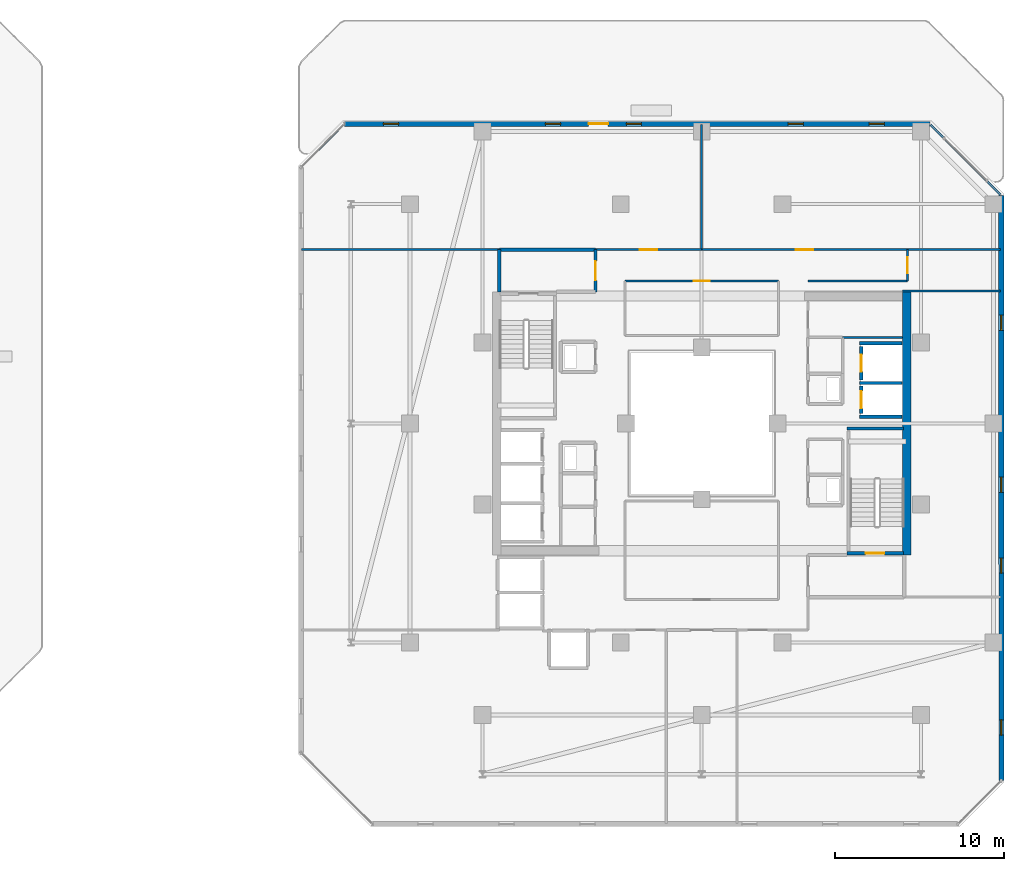
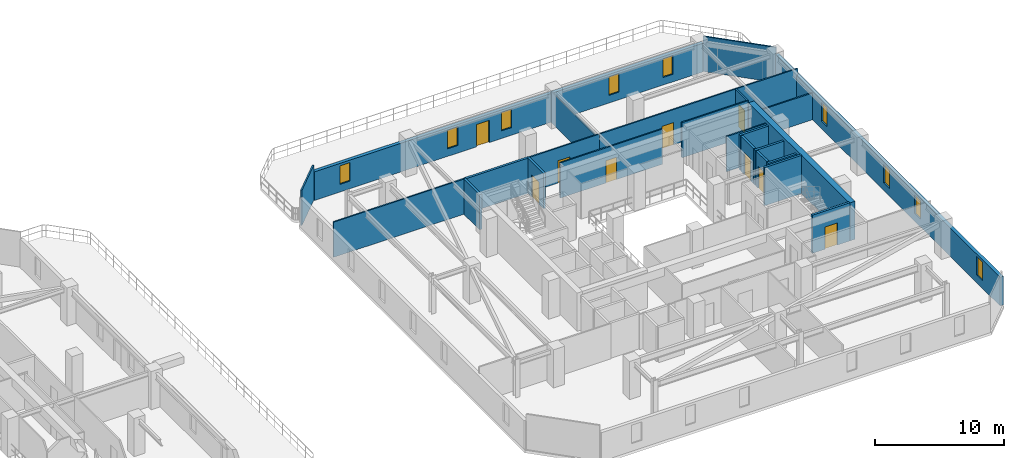
# One storey, part 26 of 32: 25 walls, 9 doors, 9 windows, 18 openings.
"""IFC4 building model written with IfcOpenShell, lengths in metres."""

from ifc_helpers import new_model, si_unit, direction, frame, frame_2d, origin, place, context, subcontext, project, spatial, rectangle, extrude, material, layer, layer_set, type_object, element, fill, save


model = new_model("IFC4")

# Units and contexts
model_context = context("Model", 3, precision=1e-05, world=origin(), true_north=direction((0.0, 1.0)))
body_context = subcontext(model_context, "Body", "Model", "MODEL_VIEW")
ifc_project = project(units=[si_unit("LENGTHUNIT", "METRE"), si_unit("AREAUNIT", "SQUARE_METRE"), si_unit("VOLUMEUNIT", "CUBIC_METRE"), si_unit("PLANEANGLEUNIT", "RADIAN"), si_unit("MASSUNIT", "GRAM", prefix="KILO")], contexts=[model_context])

# Site, building, storey
site_placement = place(None, origin())
site = spatial("IfcSite", under=ifc_project, at=site_placement, CompositionType="ELEMENT")
building_placement = place(site_placement, origin())
building = spatial("IfcBuilding", under=site, at=building_placement, Name="Thornwick Lancets Civic Towers", CompositionType="ELEMENT")
storey_placement = place(building_placement, frame((0.0, 0.0, 200.10009765625)))
storey = spatial("IfcBuildingStorey", under=building, at=storey_placement, Name="L53", CompositionType="ELEMENT", Elevation=200.10009765625)

# Wall, opening, door
ifc_material_1 = material(Name="Concrete blockwork C40/50", Category="masonry")
ifc_layer_1 = layer(ifc_material_1, 0.199951171875, Name="Concrete blockwork C40/50")
ifc_layer_set_1 = layer_set([ifc_layer_1], Name="Concrete blockwork C40/50")
wall_type_1 = type_object("IfcWallType", Name="WALL_COMP_200", PredefinedType="STANDARD", material=ifc_layer_set_1)
wall_1_placement = place(storey_placement, frame((97.949951171875, 29.219970703125, 0.0), z_axis=(0.0, 0.0, 1.0), x_axis=(0.0, -1.0, 0.0)))
wall_1 = element("IfcWall", 1, at=wall_1_placement, inside=storey, type_object=wall_type_1, Name="L53 Hoistway Front Wall FL-B1", PredefinedType="STANDARD", context=body_context, shape_type="SweptSolid", body=[
    extrude(rectangle(XDim=1.639892578125, YDim=0.199951171875, at=frame_2d((0.81982421875, 0.0))), origin(), (0.0, 0.0, 1.0), 3.31982421875),
])
opening_1_placement = place(wall_1_placement, frame((0.31005859375, 0.0, 0.0)))
opening_1 = element("IfcOpeningElement", 2, at=opening_1_placement, cuts=wall_1, Name="Opening LD-FL-B1", PredefinedType="OPENING", context=body_context, shape_type="SweptSolid", body=[
    extrude(rectangle(XDim=1.02001953125, YDim=2.06005859375, at=frame_2d((0.510009765625, 1.030029296875))), frame((0.0, 0.10986328125, 0.0), z_axis=(0.0, -1.0, 0.0), x_axis=(1.0, 0.0, 0.0)), (0.0, 0.0, 1.0), 0.219970703125),
])
ifc_material_2 = material(Name="Brushed bronze stainless steel", Category="steel")
door_type_1 = type_object("IfcDoorType", Name="DOOR_LIFT_SLIDE", OperationType="SLIDING_TO_LEFT", PredefinedType="DOOR", material=ifc_material_2)
door_1_placement = place(opening_1_placement, origin())
door_1 = element("IfcDoor", 3, at=door_1_placement, inside=storey, type_object=door_type_1, Name="L53 Sliding Lift Landing Door LD-FL-B1", OperationType="SLIDING_TO_LEFT", OverallHeight=2.06005859375, OverallWidth=1.02001953125, PredefinedType="DOOR", context=body_context, shape_type="SweptSolid", body=[
    extrude(rectangle(XDim=1.02001953125, YDim=2.06005859375, at=frame_2d((0.510009765625, 1.030029296875))), frame((0.0, 0.02490234375, 0.0), z_axis=(0.0, -1.0, 0.0), x_axis=(1.0, 0.0, 0.0)), (0.0, 0.0, 1.0), 0.050048828125),
])
fill(opening_1, door_1)

wall_2_placement = place(storey_placement, frame((97.949951171875, 31.570068359375, 0.0), z_axis=(0.0, 0.0, 1.0), x_axis=(0.0, -1.0, 0.0)))
wall_2 = element("IfcWall", 4, at=wall_2_placement, inside=storey, type_object=wall_type_1, Name="L53 Hoistway Front Wall PL-BH1", PredefinedType="STANDARD", context=body_context, shape_type="SweptSolid", body=[
    extrude(rectangle(XDim=1.989990234375, YDim=0.199951171875, at=frame_2d((0.9951171875, 0.0))), origin(), (0.0, 0.0, 1.0), 3.31982421875),
])
opening_2_placement = place(wall_2_placement, frame((0.485107421875, 0.0, 0.0)))
opening_2 = element("IfcOpeningElement", 5, at=opening_2_placement, cuts=wall_2, Name="Opening LD-PL-BH1", PredefinedType="OPENING", context=body_context, shape_type="SweptSolid", body=[
    extrude(rectangle(XDim=1.02001953125, YDim=2.06005859375, at=frame_2d((0.510009765625, 1.030029296875))), frame((0.0, 0.10986328125, 0.0), z_axis=(0.0, -1.0, 0.0), x_axis=(1.0, 0.0, 0.0)), (0.0, 0.0, 1.0), 0.219970703125),
])
door_2_placement = place(opening_2_placement, origin())
door_2 = element("IfcDoor", 6, at=door_2_placement, inside=storey, type_object=door_type_1, Name="L53 Sliding Lift Landing Door LD-PL-BH1", OperationType="SLIDING_TO_LEFT", OverallHeight=2.06005859375, OverallWidth=1.02001953125, PredefinedType="DOOR", context=body_context, shape_type="SweptSolid", body=[
    extrude(rectangle(XDim=1.02001953125, YDim=2.06005859375, at=frame_2d((0.510009765625, 1.030029296875))), frame((0.0, 0.02490234375, 0.0), z_axis=(0.0, -1.0, 0.0), x_axis=(1.0, 0.0, 0.0)), (0.0, 0.0, 1.0), 0.050048828125),
])
fill(opening_2, door_2)

# Walls
for number, where, z_axis, x_axis, name in (
    (7, (97.85205078125, 29.39990234375, 0.0), (0.0, 0.0, 1.0), (1.0, 0.0, 0.0), "L53 Hoistway Shaft Wall FL-B1 N"),
    (8, (97.85205078125, 27.39990234375, 0.0), (0.0, 0.0, 1.0), (1.0, 0.0, 0.0), "L53 Hoistway Shaft Wall FL-B1 S"),
    (9, (97.85205078125, 31.75, 0.0), (0.0, 0.0, 1.0), (1.0, 0.0, 0.0), "L53 Hoistway Shaft Wall PL-BH1 N"),
):
    element("IfcWall", number, at=place(storey_placement, frame(where, z_axis=z_axis, x_axis=x_axis)), inside=storey, type_object=wall_type_1, Name=name, PredefinedType="STANDARD", context=body_context, shape_type="SweptSolid", body=[
        extrude(rectangle(XDim=2.535888671875, YDim=0.199951171875, at=frame_2d((1.26806640625, 0.0))), origin(), (0.0, 0.0, 1.0), 3.31982421875),
    ])

# Wall, opening, door
wall_3_placement = place(storey_placement, frame((82.199951171875, 34.800048828125, 0.0), z_axis=(0.0, 0.0, 1.0), x_axis=(0.0, 1.0, 0.0)))
wall_3 = element("IfcWall", 10, at=wall_3_placement, inside=storey, type_object=wall_type_1, Name="L53 Partition L53-B-FFLOB2 E2", PredefinedType="STANDARD", context=body_context, shape_type="SweptSolid", body=[
    extrude(rectangle(XDim=2.5, YDim=0.199951171875, at=frame_2d((1.25, 0.0))), origin(), (0.0, 0.0, 1.0), 3.31982421875),
])
opening_3_placement = place(wall_3_placement, frame((0.675048828125, 0.0, 0.0)))
opening_3 = element("IfcOpeningElement", 11, at=opening_3_placement, cuts=wall_3, Name="Opening D-L53-2357", PredefinedType="OPENING", context=body_context, shape_type="SweptSolid", body=[
    extrude(rectangle(XDim=1.14990234375, YDim=2.10009765625, at=frame_2d((0.574951171875, 1.050048828125))), frame((0.0, 0.10986328125, 0.0), z_axis=(0.0, -1.0, 0.0), x_axis=(1.0, 0.0, 0.0)), (0.0, 0.0, 1.0), 0.219970703125),
])
ifc_material_3 = material(Name="Glazed fire-resisting steel", Category="steel")
door_type_2 = type_object("IfcDoorType", Name="DOOR_LOBBY_FD60", OperationType="NOTDEFINED", PredefinedType="DOOR", material=ifc_material_3)
door_3_placement = place(opening_3_placement, origin())
door_3 = element("IfcDoor", 12, at=door_3_placement, inside=storey, type_object=door_type_2, Name="L53 West Firefighting Lobby 2 Door", OperationType="SINGLE_SWING_RIGHT", OverallHeight=2.10009765625, OverallWidth=1.14990234375, PredefinedType="DOOR", context=body_context, shape_type="SweptSolid", body=[
    extrude(rectangle(XDim=1.14990234375, YDim=2.10009765625, at=frame_2d((0.574951171875, 1.050048828125))), frame((0.0, 0.02490234375, 0.0), z_axis=(0.0, -1.0, 0.0), x_axis=(1.0, 0.0, 0.0)), (0.0, 0.0, 1.0), 0.050048828125),
])
fill(opening_3, door_3)

# Walls
wall_4_placement = place(storey_placement, frame((82.199951171875, 37.300048828125, 0.0), z_axis=(0.0, 0.0, 1.0), x_axis=(-1.0, 0.0, 0.0)))
element("IfcWall", 13, at=wall_4_placement, inside=storey, type_object=wall_type_1, Name="L53 Partition L53-B-FFLOB2 E3", PredefinedType="STANDARD", context=body_context, shape_type="SweptSolid", body=[
    extrude(rectangle(XDim=5.699951171875, YDim=0.199951171875, at=frame_2d((2.85009765625, 0.0))), origin(), (0.0, 0.0, 1.0), 3.31982421875),
])
wall_5_placement = place(storey_placement, frame((76.5, 37.300048828125, 0.0), z_axis=(0.0, 0.0, 1.0), x_axis=(0.0, -1.0, 0.0)))
element("IfcWall", 14, at=wall_5_placement, inside=storey, type_object=wall_type_1, Name="L53 Partition L53-B-FFLOB2 E4", PredefinedType="STANDARD", context=body_context, shape_type="SweptSolid", body=[
    extrude(rectangle(XDim=2.5, YDim=0.199951171875, at=frame_2d((1.25, 0.0))), origin(), (0.0, 0.0, 1.0), 3.31982421875),
])
ifc_material_4 = material(Name="Concrete C50/60", Category="concrete")
ifc_layer_2 = layer(ifc_material_4, 0.5, Name="Concrete C50/60")
ifc_layer_set_2 = layer_set([ifc_layer_2], Name="Concrete C50/60")
wall_type_2 = type_object("IfcWallType", Name="WALL_CORE_500", PredefinedType="SHEAR", material=ifc_layer_set_2)
wall_6_placement = place(storey_placement, frame((100.64990234375, 19.199951171875, 0.0), z_axis=(0.0, 0.0, 1.0), x_axis=(0.0, 1.0, 0.0)))
element("IfcWall", 15, at=wall_6_placement, inside=storey, type_object=wall_type_2, Name="L53 Split Core B1 Shear Wall E", PredefinedType="SHEAR", context=body_context, shape_type="SweptSolid", body=[
    extrude(rectangle(XDim=15.60009765625, YDim=0.5, at=frame_2d((7.800048828125, 0.0))), origin(), (0.0, 0.0, 1.0), 3.599853515625),
])

# Wall, openings, windows
ifc_material_5 = material(Name="Insulated russet terracotta rainscreen on concrete C40/50", Category="masonry")
ifc_layer_3 = layer(ifc_material_5, 0.300048828125, Name="Insulated russet terracotta rainscreen on concrete C40/50")
ifc_layer_set_3 = layer_set([ifc_layer_3], Name="Insulated russet terracotta rainscreen on concrete C40/50")
wall_type_3 = type_object("IfcWallType", Name="WALL_EXT_RUSSET_300", PredefinedType="STANDARD", material=ifc_layer_set_3)
wall_7_placement = place(storey_placement, frame((106.2646484375, 5.818603515625, 0.0), z_axis=(0.0, 0.0, 1.0), x_axis=(-0.000154754115, 0.999999988026, 0.0)))
wall_7 = element("IfcWall", 16, at=wall_7_placement, inside=storey, type_object=wall_type_3, Name="L53 Tower B Terracotta Facade Wall E2", PredefinedType="STANDARD", context=body_context, shape_type="SweptSolid", body=[
    extrude(rectangle(XDim=34.707275390625, YDim=0.300048828125, at=frame_2d((17.353515625, 0.0))), origin(), (0.0, 0.0, 1.0), 2.699951171875),
])
opening_4_placement = place(wall_7_placement, frame((2.699951171875, 0.0, 0.719970703125)))
opening_4 = element("IfcOpeningElement", 17, at=opening_4_placement, cuts=wall_7, Name="Opening WL-01", PredefinedType="OPENING", context=body_context, shape_type="SweptSolid", body=[
    extrude(rectangle(XDim=0.89990234375, YDim=1.75, at=frame_2d((0.449951171875, 0.875))), frame((0.0, 0.16015625, 0.0), z_axis=(0.0, -1.0, 0.0), x_axis=(1.0, 0.0, 0.0)), (0.0, 0.0, 1.0), 0.320068359375),
])
opening_5_placement = place(wall_7_placement, frame((12.300048828125, 0.0, 0.719970703125)))
opening_5 = element("IfcOpeningElement", 18, at=opening_5_placement, cuts=wall_7, Name="Opening WL-01", PredefinedType="OPENING", context=body_context, shape_type="SweptSolid", body=[
    extrude(rectangle(XDim=0.89990234375, YDim=1.75, at=frame_2d((0.449951171875, 0.875))), frame((0.0, 0.16015625, 0.0), z_axis=(0.0, -1.0, 0.0), x_axis=(1.0, 0.0, 0.0)), (0.0, 0.0, 1.0), 0.320068359375),
])
opening_6_placement = place(wall_7_placement, frame((17.10009765625, 0.0, 0.719970703125)))
opening_6 = element("IfcOpeningElement", 19, at=opening_6_placement, cuts=wall_7, Name="Opening WL-01", PredefinedType="OPENING", context=body_context, shape_type="SweptSolid", body=[
    extrude(rectangle(XDim=0.89990234375, YDim=1.75, at=frame_2d((0.449951171875, 0.875))), frame((0.0, 0.16015625, 0.0), z_axis=(0.0, -1.0, 0.0), x_axis=(1.0, 0.0, 0.0)), (0.0, 0.0, 1.0), 0.320068359375),
])
opening_7_placement = place(wall_7_placement, frame((26.699951171875, 0.0, 0.719970703125)))
opening_7 = element("IfcOpeningElement", 20, at=opening_7_placement, cuts=wall_7, Name="Opening WL-01", PredefinedType="OPENING", context=body_context, shape_type="SweptSolid", body=[
    extrude(rectangle(XDim=0.89990234375, YDim=1.75, at=frame_2d((0.449951171875, 0.875))), frame((0.0, 0.16015625, 0.0), z_axis=(0.0, -1.0, 0.0), x_axis=(1.0, 0.0, 0.0)), (0.0, 0.0, 1.0), 0.320068359375),
])
ifc_material_6 = material(Name="Clear low-e double glazing in bronze frame", Category="glass")
window_type = type_object("IfcWindowType", Name="WIN_LANCET_900", PartitioningType="SINGLE_PANEL", PredefinedType="WINDOW", material=ifc_material_6)
window_1_placement = place(opening_4_placement, origin())
window_1 = element("IfcWindow", 21, at=window_1_placement, inside=storey, type_object=window_type, Name="L53 Tower B Staggered Lancet Window E2-1", OverallHeight=1.75, OverallWidth=0.89990234375, PartitioningType="SINGLE_PANEL", PredefinedType="WINDOW", context=body_context, shape_type="SweptSolid", body=[
    extrude(rectangle(XDim=0.89990234375, YDim=1.75, at=frame_2d((0.449951171875, 0.875))), frame((0.0, 0.030029296875, 0.0), z_axis=(0.0, -1.0, 0.0), x_axis=(1.0, 0.0, 0.0)), (0.0, 0.0, 1.0), 0.06005859375),
])
fill(opening_4, window_1)
window_2_placement = place(opening_5_placement, origin())
window_2 = element("IfcWindow", 22, at=window_2_placement, inside=storey, type_object=window_type, Name="L53 Tower B Staggered Lancet Window E2-2", OverallHeight=1.75, OverallWidth=0.89990234375, PartitioningType="SINGLE_PANEL", PredefinedType="WINDOW", context=body_context, shape_type="SweptSolid", body=[
    extrude(rectangle(XDim=0.89990234375, YDim=1.75, at=frame_2d((0.449951171875, 0.875))), frame((0.0, 0.030029296875, 0.0), z_axis=(0.0, -1.0, 0.0), x_axis=(1.0, 0.0, 0.0)), (0.0, 0.0, 1.0), 0.06005859375),
])
fill(opening_5, window_2)
window_3_placement = place(opening_6_placement, origin())
window_3 = element("IfcWindow", 23, at=window_3_placement, inside=storey, type_object=window_type, Name="L53 Tower B Staggered Lancet Window E2-3", OverallHeight=1.75, OverallWidth=0.89990234375, PartitioningType="SINGLE_PANEL", PredefinedType="WINDOW", context=body_context, shape_type="SweptSolid", body=[
    extrude(rectangle(XDim=0.89990234375, YDim=1.75, at=frame_2d((0.449951171875, 0.875))), frame((0.0, 0.030029296875, 0.0), z_axis=(0.0, -1.0, 0.0), x_axis=(1.0, 0.0, 0.0)), (0.0, 0.0, 1.0), 0.06005859375),
])
fill(opening_6, window_3)
window_4_placement = place(opening_7_placement, origin())
window_4 = element("IfcWindow", 24, at=window_4_placement, inside=storey, type_object=window_type, Name="L53 Tower B Staggered Lancet Window E2-4", OverallHeight=1.75, OverallWidth=0.89990234375, PartitioningType="SINGLE_PANEL", PredefinedType="WINDOW", context=body_context, shape_type="SweptSolid", body=[
    extrude(rectangle(XDim=0.89990234375, YDim=1.75, at=frame_2d((0.449951171875, 0.875))), frame((0.0, 0.030029296875, 0.0), z_axis=(0.0, -1.0, 0.0), x_axis=(1.0, 0.0, 0.0)), (0.0, 0.0, 1.0), 0.06005859375),
])
fill(opening_7, window_4)

# Wall, openings, door, windows
wall_8_placement = place(storey_placement, frame((102.02587890625, 44.75927734375, 0.0), z_axis=(0.0, 0.0, 1.0), x_axis=(-0.999999988026, 0.000154754115, 0.0)))
wall_8 = element("IfcWall", 25, at=wall_8_placement, inside=storey, type_object=wall_type_3, Name="L53 Tower B Terracotta Facade Wall E4", PredefinedType="STANDARD", context=body_context, shape_type="SweptSolid", body=[
    extrude(rectangle(XDim=34.707275390625, YDim=0.300048828125, at=frame_2d((17.353515625, 0.0))), origin(), (0.0, 0.0, 1.0), 2.699951171875),
])
opening_8_placement = place(wall_8_placement, frame((19.07861328125, 0.0, 0.0)))
opening_8 = element("IfcOpeningElement", 26, at=opening_8_placement, cuts=wall_8, Name="Opening D-SG-L53-B4", PredefinedType="OPENING", context=body_context, shape_type="SweptSolid", body=[
    extrude(rectangle(XDim=1.14990234375, YDim=2.10009765625, at=frame_2d((0.574951171875, 1.050048828125))), frame((0.0, 0.16015625, 0.0), z_axis=(0.0, -1.0, 0.0), x_axis=(1.0, 0.0, 0.0)), (0.0, 0.0, 1.0), 0.320068359375),
])
opening_9_placement = place(wall_8_placement, frame((2.699951171875, 0.0, 0.719970703125)))
opening_9 = element("IfcOpeningElement", 27, at=opening_9_placement, cuts=wall_8, Name="Opening WL-01", PredefinedType="OPENING", context=body_context, shape_type="SweptSolid", body=[
    extrude(rectangle(XDim=0.89990234375, YDim=1.75, at=frame_2d((0.449951171875, 0.875))), frame((0.0, 0.16015625, 0.0), z_axis=(0.0, -1.0, 0.0), x_axis=(1.0, 0.0, 0.0)), (0.0, 0.0, 1.0), 0.320068359375),
])
opening_10_placement = place(wall_8_placement, frame((7.5, 0.0, 0.719970703125)))
opening_10 = element("IfcOpeningElement", 28, at=opening_10_placement, cuts=wall_8, Name="Opening WL-01", PredefinedType="OPENING", context=body_context, shape_type="SweptSolid", body=[
    extrude(rectangle(XDim=0.89990234375, YDim=1.75, at=frame_2d((0.449951171875, 0.875))), frame((0.0, 0.16015625, 0.0), z_axis=(0.0, -1.0, 0.0), x_axis=(1.0, 0.0, 0.0)), (0.0, 0.0, 1.0), 0.320068359375),
])
opening_11_placement = place(wall_8_placement, frame((17.10009765625, 0.0, 0.719970703125)))
opening_11 = element("IfcOpeningElement", 29, at=opening_11_placement, cuts=wall_8, Name="Opening WL-01", PredefinedType="OPENING", context=body_context, shape_type="SweptSolid", body=[
    extrude(rectangle(XDim=0.89990234375, YDim=1.75, at=frame_2d((0.449951171875, 0.875))), frame((0.0, 0.16015625, 0.0), z_axis=(0.0, -1.0, 0.0), x_axis=(1.0, 0.0, 0.0)), (0.0, 0.0, 1.0), 0.320068359375),
])
opening_12_placement = place(wall_8_placement, frame((21.89990234375, 0.0, 0.719970703125)))
opening_12 = element("IfcOpeningElement", 30, at=opening_12_placement, cuts=wall_8, Name="Opening WL-01", PredefinedType="OPENING", context=body_context, shape_type="SweptSolid", body=[
    extrude(rectangle(XDim=0.89990234375, YDim=1.75, at=frame_2d((0.449951171875, 0.875))), frame((0.0, 0.16015625, 0.0), z_axis=(0.0, -1.0, 0.0), x_axis=(1.0, 0.0, 0.0)), (0.0, 0.0, 1.0), 0.320068359375),
])
opening_13_placement = place(wall_8_placement, frame((31.5, 0.0, 0.719970703125)))
opening_13 = element("IfcOpeningElement", 31, at=opening_13_placement, cuts=wall_8, Name="Opening WL-01", PredefinedType="OPENING", context=body_context, shape_type="SweptSolid", body=[
    extrude(rectangle(XDim=0.89990234375, YDim=1.75, at=frame_2d((0.449951171875, 0.875))), frame((0.0, 0.16015625, 0.0), z_axis=(0.0, -1.0, 0.0), x_axis=(1.0, 0.0, 0.0)), (0.0, 0.0, 1.0), 0.320068359375),
])
ifc_material_7 = material(Name="Thermally broken glazed terrace doorset")
door_type_3 = type_object("IfcDoorType", Name="DOOR_TERRACE_1200", OperationType="NOTDEFINED", PredefinedType="DOOR", material=ifc_material_7)
door_4_placement = place(opening_8_placement, origin())
door_4 = element("IfcDoor", 32, at=door_4_placement, inside=storey, type_object=door_type_3, Name="L53 Tower B Sky-Garden Terrace Door", OperationType="SINGLE_SWING_RIGHT", OverallHeight=2.10009765625, OverallWidth=1.14990234375, PredefinedType="DOOR", context=body_context, shape_type="SweptSolid", body=[
    extrude(rectangle(XDim=1.14990234375, YDim=2.10009765625, at=frame_2d((0.574951171875, 1.050048828125))), frame((0.0, 0.02490234375, 0.0), z_axis=(0.0, -1.0, 0.0), x_axis=(1.0, 0.0, 0.0)), (0.0, 0.0, 1.0), 0.050048828125),
])
fill(opening_8, door_4)
window_5_placement = place(opening_9_placement, origin())
window_5 = element("IfcWindow", 33, at=window_5_placement, inside=storey, type_object=window_type, Name="L53 Tower B Staggered Lancet Window E4-1", OverallHeight=1.75, OverallWidth=0.89990234375, PartitioningType="SINGLE_PANEL", PredefinedType="WINDOW", context=body_context, shape_type="SweptSolid", body=[
    extrude(rectangle(XDim=0.89990234375, YDim=1.75, at=frame_2d((0.449951171875, 0.875))), frame((0.0, 0.030029296875, 0.0), z_axis=(0.0, -1.0, 0.0), x_axis=(1.0, 0.0, 0.0)), (0.0, 0.0, 1.0), 0.06005859375),
])
fill(opening_9, window_5)
window_6_placement = place(opening_10_placement, origin())
window_6 = element("IfcWindow", 34, at=window_6_placement, inside=storey, type_object=window_type, Name="L53 Tower B Staggered Lancet Window E4-2", OverallHeight=1.75, OverallWidth=0.89990234375, PartitioningType="SINGLE_PANEL", PredefinedType="WINDOW", context=body_context, shape_type="SweptSolid", body=[
    extrude(rectangle(XDim=0.89990234375, YDim=1.75, at=frame_2d((0.449951171875, 0.875))), frame((0.0, 0.030029296875, 0.0), z_axis=(0.0, -1.0, 0.0), x_axis=(1.0, 0.0, 0.0)), (0.0, 0.0, 1.0), 0.06005859375),
])
fill(opening_10, window_6)
window_7_placement = place(opening_11_placement, origin())
window_7 = element("IfcWindow", 35, at=window_7_placement, inside=storey, type_object=window_type, Name="L53 Tower B Staggered Lancet Window E4-3", OverallHeight=1.75, OverallWidth=0.89990234375, PartitioningType="SINGLE_PANEL", PredefinedType="WINDOW", context=body_context, shape_type="SweptSolid", body=[
    extrude(rectangle(XDim=0.89990234375, YDim=1.75, at=frame_2d((0.449951171875, 0.875))), frame((0.0, 0.030029296875, 0.0), z_axis=(0.0, -1.0, 0.0), x_axis=(1.0, 0.0, 0.0)), (0.0, 0.0, 1.0), 0.06005859375),
])
fill(opening_11, window_7)
window_8_placement = place(opening_12_placement, origin())
window_8 = element("IfcWindow", 36, at=window_8_placement, inside=storey, type_object=window_type, Name="L53 Tower B Staggered Lancet Window E4-4", OverallHeight=1.75, OverallWidth=0.89990234375, PartitioningType="SINGLE_PANEL", PredefinedType="WINDOW", context=body_context, shape_type="SweptSolid", body=[
    extrude(rectangle(XDim=0.89990234375, YDim=1.75, at=frame_2d((0.449951171875, 0.875))), frame((0.0, 0.030029296875, 0.0), z_axis=(0.0, -1.0, 0.0), x_axis=(1.0, 0.0, 0.0)), (0.0, 0.0, 1.0), 0.06005859375),
])
fill(opening_12, window_8)
window_9_placement = place(opening_13_placement, origin())
window_9 = element("IfcWindow", 37, at=window_9_placement, inside=storey, type_object=window_type, Name="L53 Tower B Staggered Lancet Window E4-5", OverallHeight=1.75, OverallWidth=0.89990234375, PartitioningType="SINGLE_PANEL", PredefinedType="WINDOW", context=body_context, shape_type="SweptSolid", body=[
    extrude(rectangle(XDim=0.89990234375, YDim=1.75, at=frame_2d((0.449951171875, 0.875))), frame((0.0, 0.030029296875, 0.0), z_axis=(0.0, -1.0, 0.0), x_axis=(1.0, 0.0, 0.0)), (0.0, 0.0, 1.0), 0.06005859375),
])
fill(opening_13, window_9)

# Walls
ifc_material_8 = material(Name="Acoustic gypsum board partition")
ifc_layer_4 = layer(ifc_material_8, 0.1201171875, Name="Acoustic gypsum board partition")
ifc_layer_set_4 = layer_set([ifc_layer_4], Name="Acoustic gypsum board partition")
wall_type_4 = type_object("IfcWallType", Name="WALL_PART_120", PredefinedType="PARTITIONING", material=ifc_layer_set_4)
wall_9_placement = place(storey_placement, frame((100.39990234375, 32.10009765625, 0.0), z_axis=(0.0, 0.0, 1.0), x_axis=(-1.0, 0.0, 0.0)))
element("IfcWall", 38, at=wall_9_placement, inside=storey, type_object=wall_type_4, Name="L53 Partition L53-B-ITR E4", PredefinedType="PARTITIONING", context=body_context, shape_type="SweptSolid", body=[
    extrude(rectangle(XDim=3.5498046875, YDim=0.1201171875, at=frame_2d((1.77490234375, 0.0))), origin(), (0.0, 0.0, 1.0), 3.31982421875),
])
wall_10_placement = place(storey_placement, frame((94.800048828125, 35.449951171875, 0.0), z_axis=(0.0, 0.0, 1.0), x_axis=(1.0, 0.0, 0.0)))
element("IfcWall", 39, at=wall_10_placement, inside=storey, type_object=wall_type_4, Name="L53 Partition L53-B-RECLAIM-L E2", PredefinedType="PARTITIONING", context=body_context, shape_type="SweptSolid", body=[
    extrude(rectangle(XDim=5.89990234375, YDim=0.1201171875, at=frame_2d((2.949951171875, 0.0))), origin(), (0.0, 0.0, 1.0), 3.31982421875),
])

# Wall, opening, door
wall_11_placement = place(storey_placement, frame((100.699951171875, 35.449951171875, 0.0), z_axis=(0.0, 0.0, 1.0), x_axis=(0.0, 1.0, 0.0)))
wall_11 = element("IfcWall", 40, at=wall_11_placement, inside=storey, type_object=wall_type_4, Name="L53 Partition L53-B-RECLAIM-L E3", PredefinedType="PARTITIONING", context=body_context, shape_type="SweptSolid", body=[
    extrude(rectangle(XDim=1.85009765625, YDim=0.1201171875, at=frame_2d((0.925048828125, 0.0))), origin(), (0.0, 0.0, 1.0), 3.31982421875),
])
opening_14_placement = place(wall_11_placement, frame((0.449951171875, 0.0, 0.0)))
opening_14 = element("IfcOpeningElement", 41, at=opening_14_placement, cuts=wall_11, Name="Opening D-L53-2375", PredefinedType="OPENING", context=body_context, shape_type="SweptSolid", body=[
    extrude(rectangle(XDim=0.949951171875, YDim=2.10009765625, at=frame_2d((0.47509765625, 1.050048828125))), frame((0.0, 0.070068359375, 0.0), z_axis=(0.0, -1.0, 0.0), x_axis=(1.0, 0.0, 0.0)), (0.0, 0.0, 1.0), 0.14013671875),
])
ifc_material_9 = material(Name="European oak acoustic doorset")
door_type_4 = type_object("IfcDoorType", Name="DOOR_OFFICE_950", OperationType="NOTDEFINED", PredefinedType="DOOR", material=ifc_material_9)
door_5_placement = place(opening_14_placement, origin())
door_5 = element("IfcDoor", 42, at=door_5_placement, inside=storey, type_object=door_type_4, Name="L53 Tower B Parliamentary Drafting Library Door", OperationType="SINGLE_SWING_RIGHT", OverallHeight=2.10009765625, OverallWidth=0.949951171875, PredefinedType="DOOR", context=body_context, shape_type="SweptSolid", body=[
    extrude(rectangle(XDim=0.949951171875, YDim=2.10009765625, at=frame_2d((0.47509765625, 1.050048828125))), frame((0.0, 0.02490234375, 0.0), z_axis=(0.0, -1.0, 0.0), x_axis=(1.0, 0.0, 0.0)), (0.0, 0.0, 1.0), 0.050048828125),
])
fill(opening_14, door_5)

# Walls
wall_12_placement = place(storey_placement, frame((100.699951171875, 37.300048828125, 0.0), z_axis=(0.0, 0.0, 1.0), x_axis=(1.0, 0.0, 0.0)))
element("IfcWall", 43, at=wall_12_placement, inside=storey, type_object=wall_type_4, Name="L53 Partition L53-B-RECLAIM-L E4", PredefinedType="PARTITIONING", context=body_context, shape_type="SweptSolid", body=[
    extrude(rectangle(XDim=5.52001953125, YDim=0.1201171875, at=frame_2d((2.760009765625, 0.0))), origin(), (0.0, 0.0, 1.0), 3.31982421875),
])
wall_13_placement = place(storey_placement, frame((106.219970703125, 34.85009765625, 0.0), z_axis=(0.0, 0.0, 1.0), x_axis=(-1.0, 0.0, 0.0)))
element("IfcWall", 44, at=wall_13_placement, inside=storey, type_object=wall_type_4, Name="L53 Partition L53-B-RECLAIM-L E6", PredefinedType="PARTITIONING", context=body_context, shape_type="SweptSolid", body=[
    extrude(rectangle(XDim=5.820068359375, YDim=0.1201171875, at=frame_2d((2.91015625, 0.0))), origin(), (0.0, 0.0, 1.0), 2.52490234375),
])

# Wall, opening, door
wall_14_placement = place(storey_placement, frame((100.699951171875, 37.300048828125, 0.0), z_axis=(0.0, 0.0, 1.0), x_axis=(-1.0, 0.0, 0.0)))
wall_14 = element("IfcWall", 45, at=wall_14_placement, inside=storey, type_object=wall_type_4, Name="L53 Partition L53-B-E1 E1", PredefinedType="PARTITIONING", context=body_context, shape_type="SweptSolid", body=[
    extrude(rectangle(XDim=12.199951171875, YDim=0.1201171875, at=frame_2d((6.10009765625, 0.0))), origin(), (0.0, 0.0, 1.0), 3.31982421875),
])
opening_15_placement = place(wall_14_placement, frame((5.574951171875, 0.0, 0.0)))
opening_15 = element("IfcOpeningElement", 46, at=opening_15_placement, cuts=wall_14, Name="Opening D-L53-2380", PredefinedType="OPENING", context=body_context, shape_type="SweptSolid", body=[
    extrude(rectangle(XDim=1.050048828125, YDim=2.10009765625, at=frame_2d((0.52490234375, 1.050048828125))), frame((0.0, 0.070068359375, 0.0), z_axis=(0.0, -1.0, 0.0), x_axis=(1.0, 0.0, 0.0)), (0.0, 0.0, 1.0), 0.14013671875),
])
ifc_material_10 = material(Name="Glazed European oak executive doorset")
door_type_5 = type_object("IfcDoorType", Name="DOOR_OFFICE_1050", OperationType="NOTDEFINED", PredefinedType="DOOR", material=ifc_material_10)
door_6_placement = place(opening_15_placement, origin())
door_6 = element("IfcDoor", 47, at=door_6_placement, inside=storey, type_object=door_type_5, Name="L53 Tower B Secretariat Open Office E1 Door", OperationType="SINGLE_SWING_LEFT", OverallHeight=2.10009765625, OverallWidth=1.050048828125, PredefinedType="DOOR", context=body_context, shape_type="SweptSolid", body=[
    extrude(rectangle(XDim=1.050048828125, YDim=2.10009765625, at=frame_2d((0.52490234375, 1.050048828125))), frame((0.0, 0.02490234375, 0.0), z_axis=(0.0, -1.0, 0.0), x_axis=(1.0, 0.0, 0.0)), (0.0, 0.0, 1.0), 0.050048828125),
])
fill(opening_15, door_6)

# Walls
wall_15_placement = place(storey_placement, frame((88.5, 37.300048828125, 0.0), z_axis=(0.0, 0.0, 1.0), x_axis=(0.0, 1.0, 0.0)))
element("IfcWall", 48, at=wall_15_placement, inside=storey, type_object=wall_type_4, Name="L53 Partition L53-B-E1 E2", PredefinedType="PARTITIONING", context=body_context, shape_type="SweptSolid", body=[
    extrude(rectangle(XDim=7.419921875, YDim=0.1201171875, at=frame_2d((3.7099609375, 0.0))), origin(), (0.0, 0.0, 1.0), 2.912109375),
])
wall_16_placement = place(storey_placement, frame((102.0634765625, 44.719970703125, 0.0), z_axis=(0.0, 0.0, 1.0), x_axis=(0.707106781187, -0.707106781187, 0.0)))
element("IfcWall", 49, at=wall_16_placement, inside=storey, type_object=wall_type_4, Name="L53 Partition L53-B-E1 E4", PredefinedType="PARTITIONING", context=body_context, shape_type="SweptSolid", body=[
    extrude(rectangle(XDim=5.878173828125, YDim=0.1201171875, at=frame_2d((2.93896484375, 0.0))), origin(), (0.0, 0.0, 1.0), 3.31982421875),
])
wall_17_placement = place(storey_placement, frame((76.5, 37.300048828125, 0.0), z_axis=(0.0, 0.0, 1.0), x_axis=(-1.0, 0.0, 0.0)))
element("IfcWall", 50, at=wall_17_placement, inside=storey, type_object=wall_type_4, Name="L53 Partition L53-B-E2 E2", PredefinedType="PARTITIONING", context=body_context, shape_type="SweptSolid", body=[
    extrude(rectangle(XDim=11.719970703125, YDim=0.1201171875, at=frame_2d((5.85986328125, 0.0))), origin(), (0.0, 0.0, 1.0), 3.31982421875),
])
wall_18_placement = place(storey_placement, frame((64.780029296875, 42.225341796875, 0.0), z_axis=(0.0, 0.0, 1.0), x_axis=(0.707106781187, 0.707106781187, 0.0)))
element("IfcWall", 51, at=wall_18_placement, inside=storey, type_object=wall_type_4, Name="L53 Partition L53-B-E2 E4", PredefinedType="PARTITIONING", context=body_context, shape_type="SweptSolid", body=[
    extrude(rectangle(XDim=3.52783203125, YDim=0.1201171875, at=frame_2d((1.763916015625, 0.0))), origin(), (0.0, 0.0, 1.0), 3.31982421875),
])

# Wall, opening, door
wall_19_placement = place(storey_placement, frame((88.5, 37.300048828125, 0.0), z_axis=(0.0, 0.0, 1.0), x_axis=(-1.0, 0.0, 0.0)))
wall_19 = element("IfcWall", 52, at=wall_19_placement, inside=storey, type_object=wall_type_4, Name="L53 Partition L53-B-E2 E7", PredefinedType="PARTITIONING", context=body_context, shape_type="SweptSolid", body=[
    extrude(rectangle(XDim=6.300048828125, YDim=0.1201171875, at=frame_2d((3.14990234375, 0.0))), origin(), (0.0, 0.0, 1.0), 3.31982421875),
])
opening_16_placement = place(wall_19_placement, frame((2.625, 0.0, 0.0)))
opening_16 = element("IfcOpeningElement", 53, at=opening_16_placement, cuts=wall_19, Name="Opening D-L53-2381", PredefinedType="OPENING", context=body_context, shape_type="SweptSolid", body=[
    extrude(rectangle(XDim=1.050048828125, YDim=2.10009765625, at=frame_2d((0.52490234375, 1.050048828125))), frame((0.0, 0.070068359375, 0.0), z_axis=(0.0, -1.0, 0.0), x_axis=(1.0, 0.0, 0.0)), (0.0, 0.0, 1.0), 0.14013671875),
])
door_7_placement = place(opening_16_placement, origin())
door_7 = element("IfcDoor", 54, at=door_7_placement, inside=storey, type_object=door_type_5, Name="L53 Tower B Visitors Reception and Waiting Door", OperationType="SINGLE_SWING_RIGHT", OverallHeight=2.10009765625, OverallWidth=1.050048828125, PredefinedType="DOOR", context=body_context, shape_type="SweptSolid", body=[
    extrude(rectangle(XDim=1.050048828125, YDim=2.10009765625, at=frame_2d((0.52490234375, 1.050048828125))), frame((0.0, 0.02490234375, 0.0), z_axis=(0.0, -1.0, 0.0), x_axis=(1.0, 0.0, 0.0)), (0.0, 0.0, 1.0), 0.050048828125),
])
fill(opening_16, door_7)

wall_20_placement = place(storey_placement, frame((83.949951171875, 35.449951171875, 0.0), z_axis=(0.0, 0.0, 1.0), x_axis=(1.0, 0.0, 0.0)))
wall_20 = element("IfcWall", 55, at=wall_20_placement, inside=storey, type_object=wall_type_4, Name="L53 Partition L53-B-E-ATRIUM-OFF E2", PredefinedType="PARTITIONING", context=body_context, shape_type="SweptSolid", body=[
    extrude(rectangle(XDim=9.10009765625, YDim=0.1201171875, at=frame_2d((4.550048828125, 0.0))), origin(), (0.0, 0.0, 1.0), 3.31982421875),
])
opening_17_placement = place(wall_20_placement, frame((4.074951171875, 0.0, 0.0)))
opening_17 = element("IfcOpeningElement", 56, at=opening_17_placement, cuts=wall_20, Name="Opening D-L53-2382", PredefinedType="OPENING", context=body_context, shape_type="SweptSolid", body=[
    extrude(rectangle(XDim=0.949951171875, YDim=2.10009765625, at=frame_2d((0.47509765625, 1.050048828125))), frame((0.0, 0.070068359375, 0.0), z_axis=(0.0, -1.0, 0.0), x_axis=(1.0, 0.0, 0.0)), (0.0, 0.0, 1.0), 0.14013671875),
])
door_8_placement = place(opening_17_placement, origin())
door_8 = element("IfcDoor", 57, at=door_8_placement, inside=storey, type_object=door_type_4, Name="L53 Tower B Atrium Policy Office Door", OperationType="SINGLE_SWING_LEFT", OverallHeight=2.10009765625, OverallWidth=0.949951171875, PredefinedType="DOOR", context=body_context, shape_type="SweptSolid", body=[
    extrude(rectangle(XDim=0.949951171875, YDim=2.10009765625, at=frame_2d((0.47509765625, 1.050048828125))), frame((0.0, 0.02490234375, 0.0), z_axis=(0.0, -1.0, 0.0), x_axis=(1.0, 0.0, 0.0)), (0.0, 0.0, 1.0), 0.050048828125),
])
fill(opening_17, door_8)

ifc_material_11 = material(Name="Concrete C40/50", Category="concrete")
ifc_layer_5 = layer(ifc_material_11, 0.199951171875, Name="Concrete C40/50")
ifc_layer_set_5 = layer_set([ifc_layer_5], Name="Concrete C40/50")
wall_type_5 = type_object("IfcWallType", Name="WALL_SHAFT_200", PredefinedType="SHEAR", material=ifc_layer_set_5)
wall_21_placement = place(storey_placement, frame((100.449951171875, 19.300048828125, 0.0), z_axis=(0.0, 0.0, 1.0), x_axis=(-1.0, 0.0, 0.0)))
wall_21 = element("IfcWall", 58, at=wall_21_placement, inside=storey, type_object=wall_type_5, Name="L53 ST-B1 Fire Stair Core Wall NEAR", PredefinedType="SHEAR", context=body_context, shape_type="SweptSolid", body=[
    extrude(rectangle(XDim=3.349853515625, YDim=0.199951171875, at=frame_2d((1.6748046875, 0.0))), origin(), (0.0, 0.0, 1.0), 3.599853515625),
])
opening_18_placement = place(wall_21_placement, frame((1.125, 0.0, 0.0)))
opening_18 = element("IfcOpeningElement", 59, at=opening_18_placement, cuts=wall_21, Name="Opening D-ST-B1-L53", PredefinedType="OPENING", context=body_context, shape_type="SweptSolid", body=[
    extrude(rectangle(XDim=1.10009765625, YDim=2.10009765625, at=frame_2d((0.550048828125, 1.050048828125))), frame((0.0, 0.10986328125, 0.0), z_axis=(0.0, -1.0, 0.0), x_axis=(1.0, 0.0, 0.0)), (0.0, 0.0, 1.0), 0.219970703125),
])
ifc_material_12 = material(Name="Fire-resisting steel and hardwood", Category="steel")
door_type_6 = type_object("IfcDoorType", Name="DOOR_STAIR_FD60", OperationType="NOTDEFINED", PredefinedType="DOOR", material=ifc_material_12)
door_9_placement = place(opening_18_placement, origin())
door_9 = element("IfcDoor", 60, at=door_9_placement, inside=storey, type_object=door_type_6, Name="L53 ST-B1 Exit Stair Door", OperationType="SINGLE_SWING_RIGHT", OverallHeight=2.10009765625, OverallWidth=1.10009765625, PredefinedType="DOOR", context=body_context, shape_type="SweptSolid", body=[
    extrude(rectangle(XDim=1.10009765625, YDim=2.10009765625, at=frame_2d((0.550048828125, 1.050048828125))), frame((0.0, 0.02490234375, 0.0), z_axis=(0.0, -1.0, 0.0), x_axis=(1.0, 0.0, 0.0)), (0.0, 0.0, 1.0), 0.050048828125),
])
fill(opening_18, door_9)

# Wall
wall_22_placement = place(storey_placement, frame((97.10009765625, 26.699951171875, 0.0), z_axis=(0.0, 0.0, 1.0), x_axis=(1.0, 0.0, 0.0)))
element("IfcWall", 61, at=wall_22_placement, inside=storey, type_object=wall_type_5, Name="L53 ST-B1 Fire Stair Core Wall FAR", PredefinedType="SHEAR", context=body_context, shape_type="SweptSolid", body=[
    extrude(rectangle(XDim=3.349853515625, YDim=0.199951171875, at=frame_2d((1.6748046875, 0.0))), origin(), (0.0, 0.0, 1.0), 3.599853515625),
])

save(model, "model.ifc")
